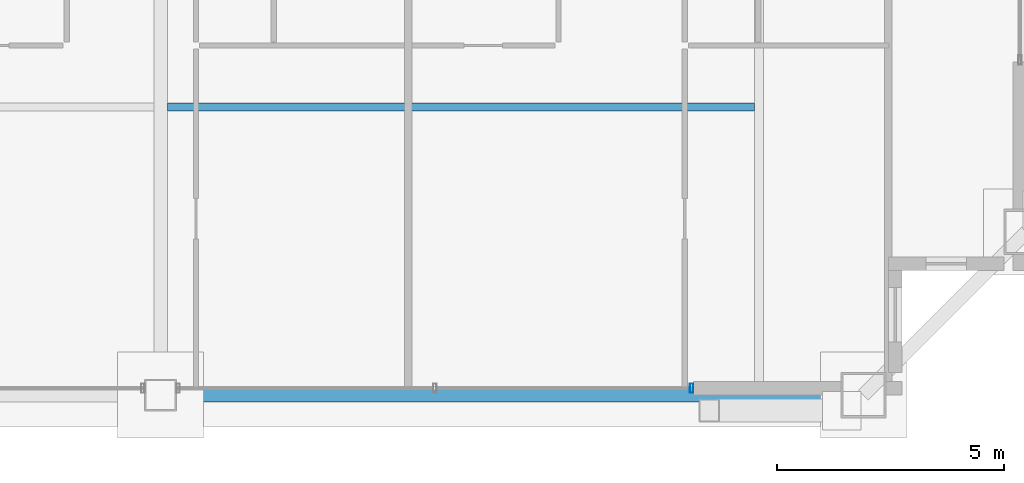
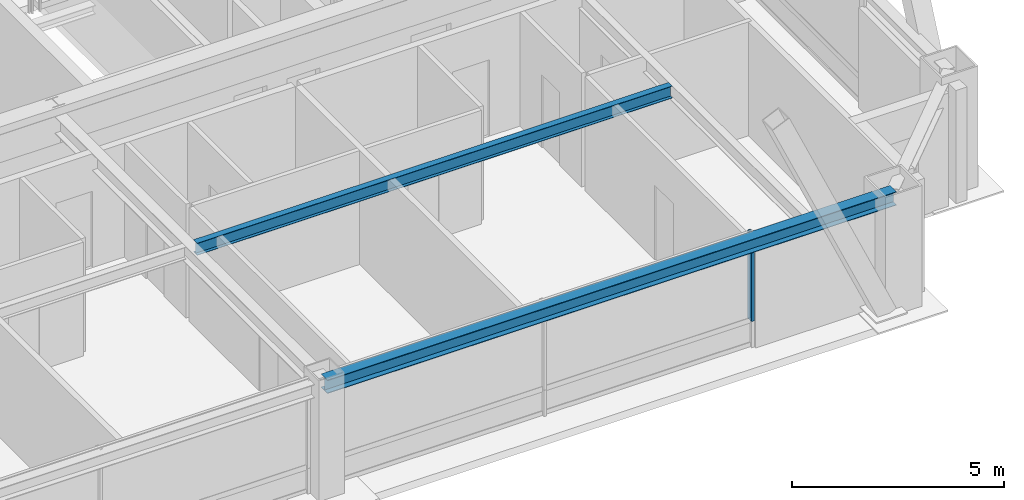
# One storey, part 9 of 35: 2 beams, 1 member, 1 element without a shape of its own.
"""IFC4 building model written with IfcOpenShell, lengths in metres."""

import ifcopenshell
import ifcopenshell.guid

model = None  # the IFC model being written
_history = None  # IfcOwnerHistory: only IFC2X3 demands one
_inside = {}  # id of a spatial element -> (the spatial element, [elements in it])
_under = {}  # id of a project, library or spatial element -> (it, [spatial elements below it])
_declared = {}  # id of a project -> (the project, [libraries it declares])
_typed = {}  # id of a type object -> (the type object, [elements of that type])
_made_of = {}  # id of a material, layer set ... -> (it, [elements and type objects made of it])


def new_model(schema):
    """Start an empty IFC model of exactly this schema.

    Asked for "IFC4X3", IfcOpenShell would pick the latest addendum, in which some entities
    have other attributes; the version numbers below select the first issue.
    IFC2X3 requires an IfcOwnerHistory on every rooted entity: one is made here for all.
    """
    global model, _history
    if schema == "IFC4X3":
        model = ifcopenshell.file(schema_version=(4, 3, 0, 0))
    else:
        model = ifcopenshell.file(schema=schema)
    _inside.clear()
    _under.clear()
    _declared.clear()
    _typed.clear()
    _made_of.clear()
    _history = None
    if model.schema == "IFC2X3":
        org = make("IfcOrganization", Name="unknown")
        user = make(
            "IfcPersonAndOrganization",
            ThePerson=make("IfcPerson", FamilyName="unknown"),
            TheOrganization=org,
        )
        app = make(
            "IfcApplication",
            ApplicationDeveloper=org,
            Version="unknown",
            ApplicationFullName="unknown",
            ApplicationIdentifier="unknown",
        )
        _history = make(
            "IfcOwnerHistory",
            OwningUser=user,
            OwningApplication=app,
            ChangeAction="ADDED",
            CreationDate=0,
        )
    return model


def make(cls, **values):
    """One entity of the class cls with the attributes given. An attribute that is None is left unset."""
    return model.create_entity(
        cls, **{name: value for name, value in values.items() if value is not None}
    )


def rooted(cls, **values):
    """An entity with a GlobalId (a new one), such as an element, a storey or a relation."""
    return make(cls, GlobalId=ifcopenshell.guid.new(), OwnerHistory=_history, **values)


def si_unit(unit_type, name, prefix=None):
    """IfcSIUnit, for example si_unit("LENGTHUNIT", "METRE", prefix="MILLI")."""
    return make("IfcSIUnit", UnitType=unit_type, Prefix=prefix, Name=name)


def assignment(units):
    """IfcUnitAssignment: the units of a project."""
    return None if units is None else make("IfcUnitAssignment", Units=units)


def point(xyz):
    """IfcCartesianPoint."""
    return None if xyz is None else make("IfcCartesianPoint", Coordinates=xyz)


def direction(xyz):
    """IfcDirection."""
    return None if xyz is None else make("IfcDirection", DirectionRatios=xyz)


def frame(location, z_axis=None, x_axis=None):
    """IfcAxis2Placement3D, a coordinate frame: its origin and axes. An axis left out is left unset."""
    return make(
        "IfcAxis2Placement3D",
        Location=point(location),
        Axis=direction(z_axis),
        RefDirection=direction(x_axis),
    )


def frame_2d(location, x_axis=None):
    """IfcAxis2Placement2D, a coordinate frame in the plane: its origin and x axis."""
    return make(
        "IfcAxis2Placement2D", Location=point(location), RefDirection=direction(x_axis)
    )


def origin():
    """The frame at (0, 0, 0) with its axes left unset."""
    return frame((0.0, 0.0, 0.0))


def origin_2d():
    """The frame at (0, 0) in the plane with its x axis left unset."""
    return frame_2d((0.0, 0.0))


def place(relative_to, where):
    """IfcLocalPlacement: puts the frame where relative to a parent placement (None: the world)."""
    return make(
        "IfcLocalPlacement", PlacementRelTo=relative_to, RelativePlacement=where
    )


def context(
    kind, dimensions, precision=None, world=None, true_north=None, identifier=None
):
    """IfcGeometricRepresentationContext, for example the 3D "Model" context."""
    return make(
        "IfcGeometricRepresentationContext",
        ContextIdentifier=identifier,
        ContextType=kind,
        CoordinateSpaceDimension=dimensions,
        Precision=precision,
        WorldCoordinateSystem=world,
        TrueNorth=true_north,
    )


def subcontext(parent, identifier, kind, view, scale=None):
    """IfcGeometricRepresentationSubContext, for example "Body" below "Model"."""
    return make(
        "IfcGeometricRepresentationSubContext",
        ContextIdentifier=identifier,
        ContextType=kind,
        ParentContext=parent,
        TargetScale=scale,
        TargetView=view,
    )


def project(units=None, contexts=None):
    """IfcProject with its units and contexts."""
    return rooted(
        "IfcProject",
        Name="project",
        RepresentationContexts=contexts,
        UnitsInContext=assignment(units),
    )


def spatial(cls, under=None, at=None, **own):
    """A site, building, storey or space (cls), placed at a placement, below another one or the project."""
    s = rooted(cls, ObjectPlacement=at, **own)
    if under is not None:
        _under.setdefault(under.id(), (under, []))[1].append(s)
    return s


def profile(cls, at=None, kind="AREA", **sizes):
    """A parametric profile (cls). Its sizes go by their IFC names, for example OverallWidth=200.0."""
    return make(cls, ProfileType=kind, Position=at, **sizes)


def hollow_rectangle(**sizes):
    """IfcRectangleHollowProfileDef."""
    return profile("IfcRectangleHollowProfileDef", **sizes)


def i_section(**sizes):
    """IfcIShapeProfileDef."""
    return profile("IfcIShapeProfileDef", **sizes)


def extrude(swept, where, along, depth):
    """IfcExtrudedAreaSolid: the profile swept, set in the frame where, extruded along a direction by depth."""
    return make(
        "IfcExtrudedAreaSolid",
        SweptArea=swept,
        Position=where,
        ExtrudedDirection=direction(along),
        Depth=depth,
    )


def shape(context_of_items, identifier, shape_type, items):
    """IfcShapeRepresentation: the items that make up one representation, for example the "Body"."""
    return make(
        "IfcShapeRepresentation",
        ContextOfItems=context_of_items,
        RepresentationIdentifier=identifier,
        RepresentationType=shape_type,
        Items=items,
    )


def source(mapping_origin, context_of_items, identifier, shape_type, items):
    """IfcRepresentationMap: a shape defined once, which mapped items show again and again."""
    return make(
        "IfcRepresentationMap",
        MappingOrigin=mapping_origin,
        MappedRepresentation=shape(context_of_items, identifier, shape_type, items),
    )


def transform(
    local_origin,
    x_axis=None,
    y_axis=None,
    z_axis=None,
    scale=None,
    scale2=None,
    scale3=None,
    uniform=True,
):
    """IfcCartesianTransformationOperator3D, or its non-uniform kind. x_axis, y_axis, z_axis: its Axis1, 2, 3."""
    if uniform:
        return make(
            "IfcCartesianTransformationOperator3D",
            Axis1=direction(x_axis),
            Axis2=direction(y_axis),
            LocalOrigin=point(local_origin),
            Scale=scale,
            Axis3=direction(z_axis),
        )
    return make(
        "IfcCartesianTransformationOperator3DnonUniform",
        Axis1=direction(x_axis),
        Axis2=direction(y_axis),
        LocalOrigin=point(local_origin),
        Scale=scale,
        Axis3=direction(z_axis),
        Scale2=scale2,
        Scale3=scale3,
    )


def mapped(mapping_source, mapping_target):
    """IfcMappedItem: shows the shape of a source again, moved by a transform."""
    return make(
        "IfcMappedItem", MappingSource=mapping_source, MappingTarget=mapping_target
    )


def material(Name=None, Category=None):
    """IfcMaterial."""
    return make("IfcMaterial", Name=Name, Category=Category)


def layer(
    of_material, thickness, ventilated=None, Name=None, Category=None, Priority=None
):
    """IfcMaterialLayer: one layer of a wall or slab, of a material (None: an air gap)."""
    return make(
        "IfcMaterialLayer",
        Material=of_material,
        LayerThickness=thickness,
        IsVentilated=ventilated,
        Name=Name,
        Category=Category,
        Priority=Priority,
    )


def layer_set(layers, Name=None):
    """IfcMaterialLayerSet."""
    return make("IfcMaterialLayerSet", MaterialLayers=layers, LayerSetName=Name)


def material_profile(
    of_material, cross_section, Name=None, Category=None, Priority=None
):
    """IfcMaterialProfile: a cross section and its material."""
    return make(
        "IfcMaterialProfile",
        Name=Name,
        Material=of_material,
        Profile=cross_section,
        Priority=Priority,
        Category=Category,
    )


def profile_set(profiles, Name=None, composite=None):
    """IfcMaterialProfileSet."""
    return make(
        "IfcMaterialProfileSet",
        Name=Name,
        MaterialProfiles=profiles,
        CompositeProfile=composite,
    )


def made_of(thing, what):
    """Note that an element or type object is made of a material, layer set ...; save() writes the relation."""
    if what is not None:
        _made_of.setdefault(what.id(), (what, []))[1].append(thing)
    return thing


def type_object(cls, material=None, **own):
    """A type object (cls), such as IfcWallType, which elements share."""
    return made_of(rooted(cls, **own), material)


def element(
    cls,
    number,
    at=None,
    inside=None,
    cuts=None,
    type_object=None,
    material=None,
    context=None,
    identifier="Body",
    shape_type=None,
    held_by="IfcProductDefinitionShape",
    body=None,
    shapes=None,
    **own,
):
    """One element of the class cls, such as IfcWall. Its Tag is "e" and its number.

    at: its placement. inside: the storey or other place that contains it. cuts: it is an
    opening in that element (IfcRelVoidsElement). A single representation is given by context,
    identifier, shape_type and body (its items); several are given by shapes. held_by: the class
    of the entity that holds the representations. save() writes the other relations.
    """
    e = rooted(cls, Tag="e%d" % number, ObjectPlacement=at, **own)
    if body is not None:
        shapes = [shape(context, identifier, shape_type, body)]
    if shapes is not None:
        e.Representation = make(held_by, Representations=shapes)
    if inside is not None:
        _inside.setdefault(inside.id(), (inside, []))[1].append(e)
    if cuts is not None:
        rooted(
            "IfcRelVoidsElement", RelatingBuildingElement=cuts, RelatedOpeningElement=e
        )
    if type_object is not None:
        _typed.setdefault(type_object.id(), (type_object, []))[1].append(e)
    return made_of(e, material)


def aggregate(whole, parts):
    """IfcRelAggregates: a whole, such as a stair, and the parts it consists of."""
    return rooted("IfcRelAggregates", RelatingObject=whole, RelatedObjects=parts)


def save(model, path):
    """Write the relations noted so far, then the file.

    IfcRelAggregates (storeys below a building ...), IfcRelContainedInSpatialStructure (elements
    in a storey), IfcRelDefinesByType, IfcRelAssociatesMaterial and IfcRelDeclares: one each for
    every whole, place, type object, material and project.
    """
    for whole, parts in _under.values():
        aggregate(whole, parts)
    for where, things in _inside.values():
        rooted(
            "IfcRelContainedInSpatialStructure",
            RelatedElements=things,
            RelatingStructure=where,
        )
    for kind, things in _typed.values():
        rooted("IfcRelDefinesByType", RelatedObjects=things, RelatingType=kind)
    for what, things in _made_of.values():
        rooted("IfcRelAssociatesMaterial", RelatedObjects=things, RelatingMaterial=what)
    for by, libraries in _declared.values():
        rooted("IfcRelDeclares", RelatingContext=by, RelatedDefinitions=libraries)
    model.write(path)


model = new_model("IFC4")

# Units and contexts
model_context = context("Model", 3, precision=1e-05, world=origin(), true_north=direction((0.0, 1.0)))
body_context = subcontext(model_context, "Body", "Model", "MODEL_VIEW")
ifc_project = project(units=[si_unit("LENGTHUNIT", "METRE"), si_unit("AREAUNIT", "SQUARE_METRE"), si_unit("VOLUMEUNIT", "CUBIC_METRE"), si_unit("PLANEANGLEUNIT", "RADIAN"), si_unit("MASSUNIT", "GRAM", prefix="KILO"), si_unit("THERMODYNAMICTEMPERATUREUNIT", "KELVIN"), si_unit("POWERUNIT", "WATT")], contexts=[model_context])

# Site, building, storey
site_placement = place(None, origin())
site = spatial("IfcSite", under=ifc_project, at=site_placement, CompositionType="ELEMENT")
building_placement = place(site_placement, origin())
building = spatial("IfcBuilding", under=site, at=building_placement, Name="Yuzanri Waterfront Tower", CompositionType="ELEMENT")
storey_placement = place(building_placement, frame((0.0, 0.0, 285.60009765625)))
storey = spatial("IfcBuildingStorey", under=building, at=storey_placement, Name="L76", CompositionType="ELEMENT", Elevation=285.60009765625)

# Beams
ifc_material_1 = material(Name="Steel Q355B", Category="steel")
ifc_material_profile_1 = material_profile(ifc_material_1, i_section(OverallWidth=0.175048828125, OverallDepth=0.35009765625, WebThickness=0.007080078125, FlangeThickness=0.010986328125, at=origin_2d()), Name="HN 350x175x7x11")
ifc_profile_set_1 = profile_set([ifc_material_profile_1], Name="Steel Q355B")
beam_type_1 = type_object("IfcBeamType", Name="Floor Joist Q355B HN 350x175", PredefinedType="JOIST", material=ifc_profile_set_1)
shared_shape_1 = source(origin(), body_context, "Body", "SweptSolid", [
    extrude(i_section(OverallWidth=0.175048828125, OverallDepth=0.35009765625, WebThickness=0.007080078125, FlangeThickness=0.010986328125, at=origin_2d()), origin(), (0.0, 0.0, 1.0), 12.9501953125),
])
beam_1_placement = place(storey_placement, frame((37.14990234375, 13.050048828125, 3.10498046875), z_axis=(1.0, 0.0, 0.0), x_axis=(0.0, 1.0, 0.0)))
element("IfcBeam", 1, at=beam_1_placement, inside=storey, type_object=beam_type_1, Name="L76 South Bay Joist E", PredefinedType="JOIST", context=body_context, shape_type="MappedRepresentation", body=[
    mapped(shared_shape_1, transform((0.0, 0.0, 0.0), scale=1.0)),
])
ifc_material_2 = material(Name="Steel Q355B", Category="steel")
ifc_material_profile_2 = material_profile(ifc_material_2, i_section(OverallWidth=0.300048828125, OverallDepth=0.389892578125, WebThickness=0.010009765625, FlangeThickness=0.01611328125, at=origin_2d()), Name="HM 390x300x10x16")
ifc_profile_set_2 = profile_set([ifc_material_profile_2], Name="Steel Q355B")
beam_type_2 = type_object("IfcBeamType", Name="Perimeter Spandrel Q355B HM 390x300", PredefinedType="SPANDREL", material=ifc_profile_set_2)
shared_shape_2 = source(origin(), body_context, "Body", "SweptSolid", [
    extrude(i_section(OverallWidth=0.300048828125, OverallDepth=0.389892578125, WebThickness=0.010009765625, FlangeThickness=0.01611328125, at=origin_2d()), origin(), (0.0, 0.0, 1.0), 15.5),
])
beam_2_placement = place(storey_placement, frame((37.0, 6.699951171875, 3.0849609375), z_axis=(1.0, 0.0, 0.0), x_axis=(0.0, 1.0, 0.0)))
element("IfcBeam", 2, at=beam_2_placement, inside=storey, type_object=beam_type_2, Name="L76 Perimeter Spandrel S2-S3", PredefinedType="SPANDREL", context=body_context, shape_type="MappedRepresentation", body=[
    mapped(shared_shape_2, transform((0.0, 0.0, 0.0), scale=1.0)),
])

# Curtain wall, member
ifc_material_3 = material(Name="Anodized Architectural Bronze", Category="metal")
ifc_layer = layer(ifc_material_3, 0.159912109375)
ifc_layer_set = layer_set([ifc_layer], Name="Anodized Architectural Bronze")
curtain_wall_type = type_object("IfcCurtainWallType", Name="Anodized Bronze High-Rise Penthouse High-Wind Unitized Curtain Wall 6900", PredefinedType="NOTDEFINED", material=ifc_layer_set)
curtain_wall_placement = place(storey_placement, origin())
curtain_wall = element("IfcCurtainWall", 3, at=curtain_wall_placement, inside=storey, type_object=curtain_wall_type, Name="L76 Curtain Wall CW-L76-SR", PredefinedType="NOTDEFINED")
ifc_material_4 = material(Name="Anodized Architectural Bronze", Category="metal")
ifc_material_profile_3 = material_profile(ifc_material_4, hollow_rectangle(XDim=0.074951171875, YDim=0.199951171875, WallThickness=0.00390625, at=origin_2d()), Name="CWM 75x200")
ifc_profile_set_3 = profile_set([ifc_material_profile_3], Name="Anodized Architectural Bronze")
member_type = type_object("IfcMemberType", Name="Anodized Bronze Primary Curtain-Wall Mullion 75x200", PredefinedType="MULLION", material=ifc_profile_set_3)
shared_shape_3 = source(origin(), body_context, "Body", "SweptSolid", [
    extrude(hollow_rectangle(XDim=0.074951171875, YDim=0.199951171875, WallThickness=0.00390625, at=origin_2d()), origin(), (0.0, 0.0, 1.0), 2.52392578125),
])
member_placement = place(storey_placement, frame((48.7099609375, 6.85009765625, 0.755859375), z_axis=(0.0, 0.0, 1.0), x_axis=(1.0, 0.0, 0.0)))
member = element("IfcMember", 4, at=member_placement, type_object=member_type, Name="CW-L76-SR Upper Mullion 02", PredefinedType="MULLION", context=body_context, shape_type="MappedRepresentation", body=[
    mapped(shared_shape_3, transform((0.0, 0.0, 0.0), scale=1.0)),
])
aggregate(curtain_wall, [member])

save(model, "model.ifc")
